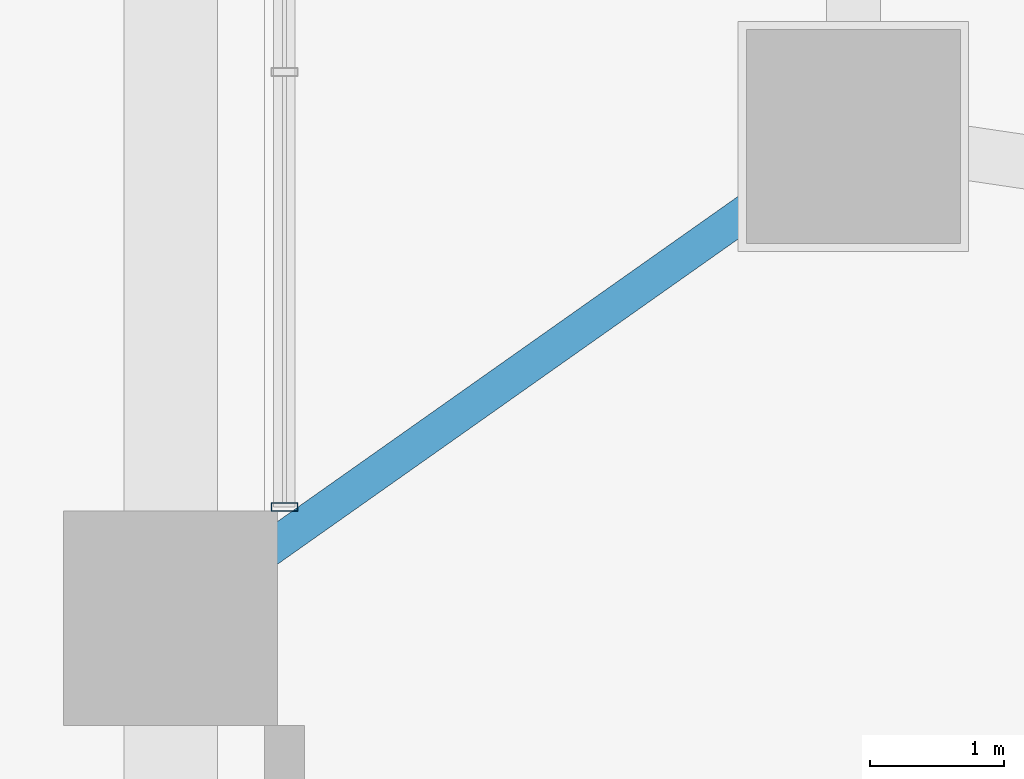
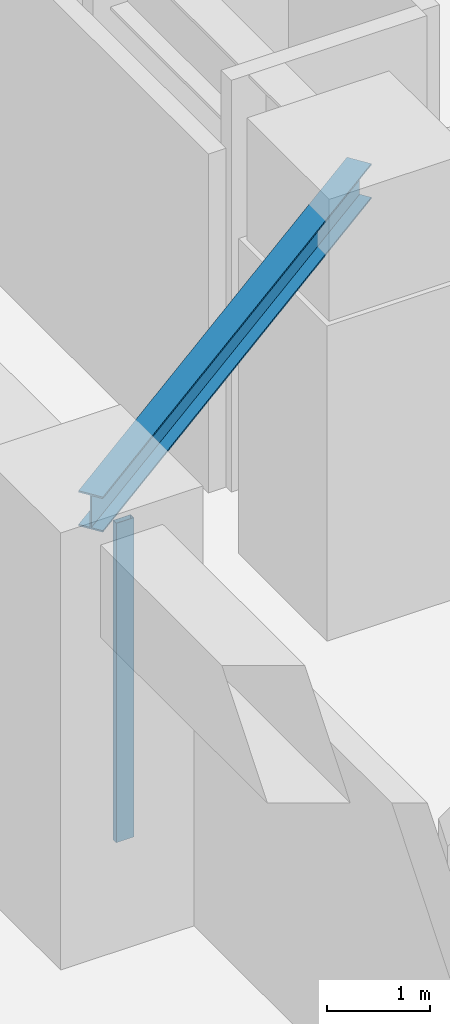
# One storey, part 4 of 27: 1 beam, 1 member, 1 element without a shape of its own.
"""IFC4 building model written with IfcOpenShell, lengths in metres."""

from ifc_helpers import new_model, si_unit, direction, frame, origin, origin_2d, place, context, subcontext, project, spatial, hollow_rectangle, i_section, extrude, source, transform, mapped, material, layer, layer_set, material_profile, profile_set, type_object, element, aggregate, save


model = new_model("IFC4")

# Units and contexts
model_context = context("Model", 3, precision=1e-05, world=origin(), true_north=direction((0.0, 1.0)))
body_context = subcontext(model_context, "Body", "Model", "MODEL_VIEW")
ifc_project = project(units=[si_unit("LENGTHUNIT", "METRE"), si_unit("AREAUNIT", "SQUARE_METRE"), si_unit("VOLUMEUNIT", "CUBIC_METRE"), si_unit("PLANEANGLEUNIT", "RADIAN"), si_unit("MASSUNIT", "GRAM", prefix="KILO")], contexts=[model_context])

# Site, building, storey
site_placement = place(None, origin())
site = spatial("IfcSite", under=ifc_project, at=site_placement, CompositionType="ELEMENT")
building_placement = place(site_placement, origin())
building = spatial("IfcBuilding", under=site, at=building_placement, Name="Veraguas Prism Commons", CompositionType="ELEMENT")
storey_placement = place(building_placement, origin())
storey = spatial("IfcBuildingStorey", under=building, at=storey_placement, Name="L00", CompositionType="ELEMENT", Elevation=0.0)

# Beam
ifc_material_1 = material(Name="Steel ASTM A992 Grade 50", Category="steel")
ifc_material_profile_1 = material_profile(ifc_material_1, i_section(OverallWidth=0.260986328125, OverallDepth=0.419921875, WebThickness=0.01171875, FlangeThickness=0.019287109375, at=origin_2d()), Name="W410X114")
ifc_profile_set_1 = profile_set([ifc_material_profile_1], Name="Steel ASTM A992 Grade 50")
beam_type = type_object("IfcBeamType", Name="Lower Floor Joist W410x114", PredefinedType="JOIST", material=ifc_profile_set_1)
beam_placement = place(storey_placement, frame((6.39990234375, 18.60009765625, 4.68994140625), z_axis=(-0.816952688962, -0.576704693927, 0.0), x_axis=(0.576704693927, -0.816952688962, 0.0)))
element("IfcBeam", 1, at=beam_placement, inside=storey, type_object=beam_type, Name="Podium Tie Beam L00-TMT06", PredefinedType="JOIST", context=body_context, shape_type="SweptSolid", body=[
    extrude(i_section(OverallWidth=0.260986328125, OverallDepth=0.419921875, WebThickness=0.01171875, FlangeThickness=0.019287109375, at=origin_2d()), origin(), (0.0, 0.0, 1.0), 6.242431640625),
])

# Curtain wall, member
ifc_material_2 = material(Name="Anodised aluminium EN AW-6063 T6", Category="aluminium")
ifc_layer = layer(ifc_material_2, 0.199951171875, Name="Metro Concourse Structural Glazing", Category="aluminium")
ifc_layer_set = layer_set([ifc_layer], Name="Anodised aluminium EN AW-6063 T6")
curtain_wall_type = type_object("IfcCurtainWallType", Name="Metro Concourse Structural Glazing", PredefinedType="NOTDEFINED", material=ifc_layer_set)
curtain_wall_placement = place(storey_placement, origin())
curtain_wall = element("IfcCurtainWall", 2, at=curtain_wall_placement, inside=storey, type_object=curtain_wall_type, Name="Via Espana Metro Concourse Curtain Wall L00-W02", PredefinedType="NOTDEFINED")
ifc_material_profile_2 = material_profile(ifc_material_2, hollow_rectangle(XDim=0.06494140625, YDim=0.199951171875, WallThickness=0.00390625, at=origin_2d()), Name="AL65X200X4")
ifc_profile_set_2 = profile_set([ifc_material_profile_2], Name="Anodised aluminium EN AW-6063 T6")
member_type = type_object("IfcMemberType", Name="Curtain Wall Mullion Heavy AL 65x200x4", PredefinedType="MULLION", material=ifc_profile_set_2)
shared_shape = source(origin(), body_context, "Body", "SweptSolid", [
    extrude(hollow_rectangle(XDim=0.06494140625, YDim=0.199951171875, WallThickness=0.00390625, at=origin_2d()), origin(), (0.0, 0.0, 1.0), 3.800048828125),
])
member_placement = place(storey_placement, frame((2.14990234375, 15.83251953125, 0.0), z_axis=(0.0, 0.0, 1.0), x_axis=(0.0, -1.0, 0.0)))
member = element("IfcMember", 3, at=member_placement, type_object=member_type, Name="CW-STN Mullion 6", PredefinedType="MULLION", context=body_context, shape_type="MappedRepresentation", body=[
    mapped(shared_shape, transform((0.0, 0.0, 0.0), scale=1.0)),
])
aggregate(curtain_wall, [member])

save(model, "model.ifc")
